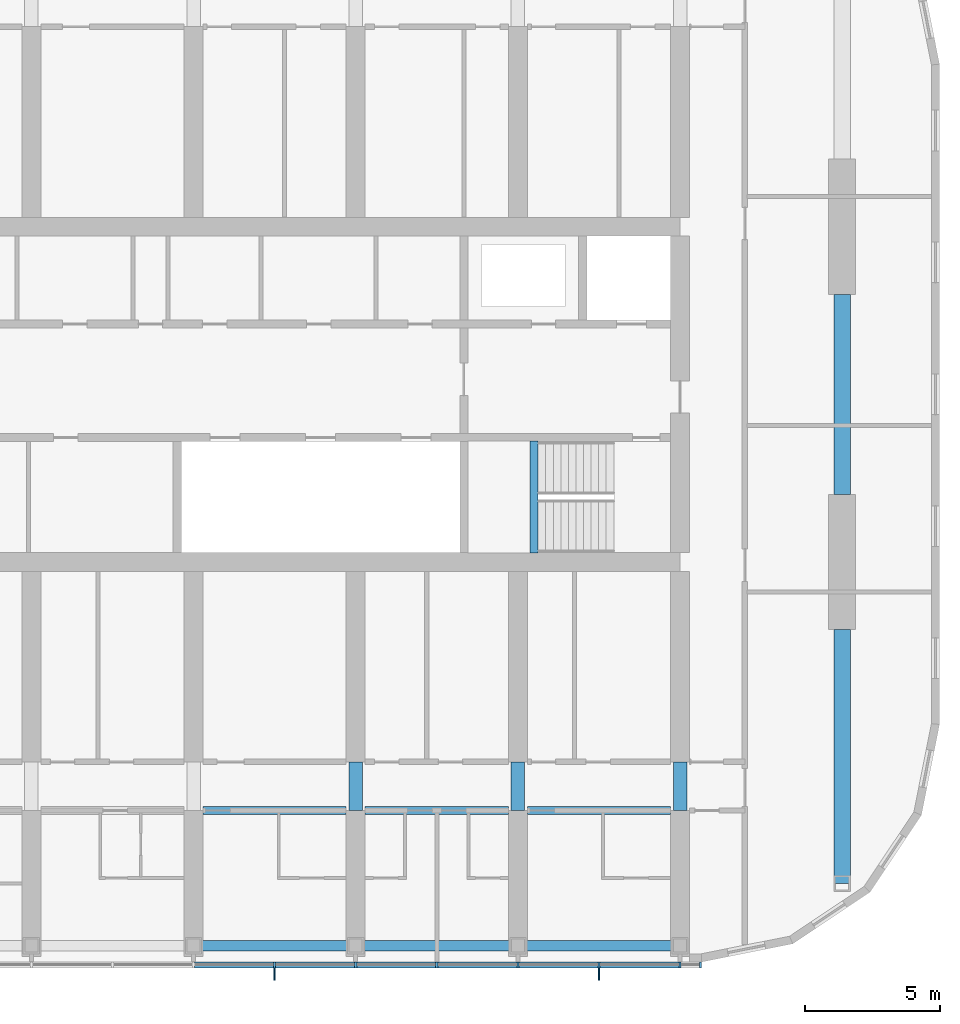
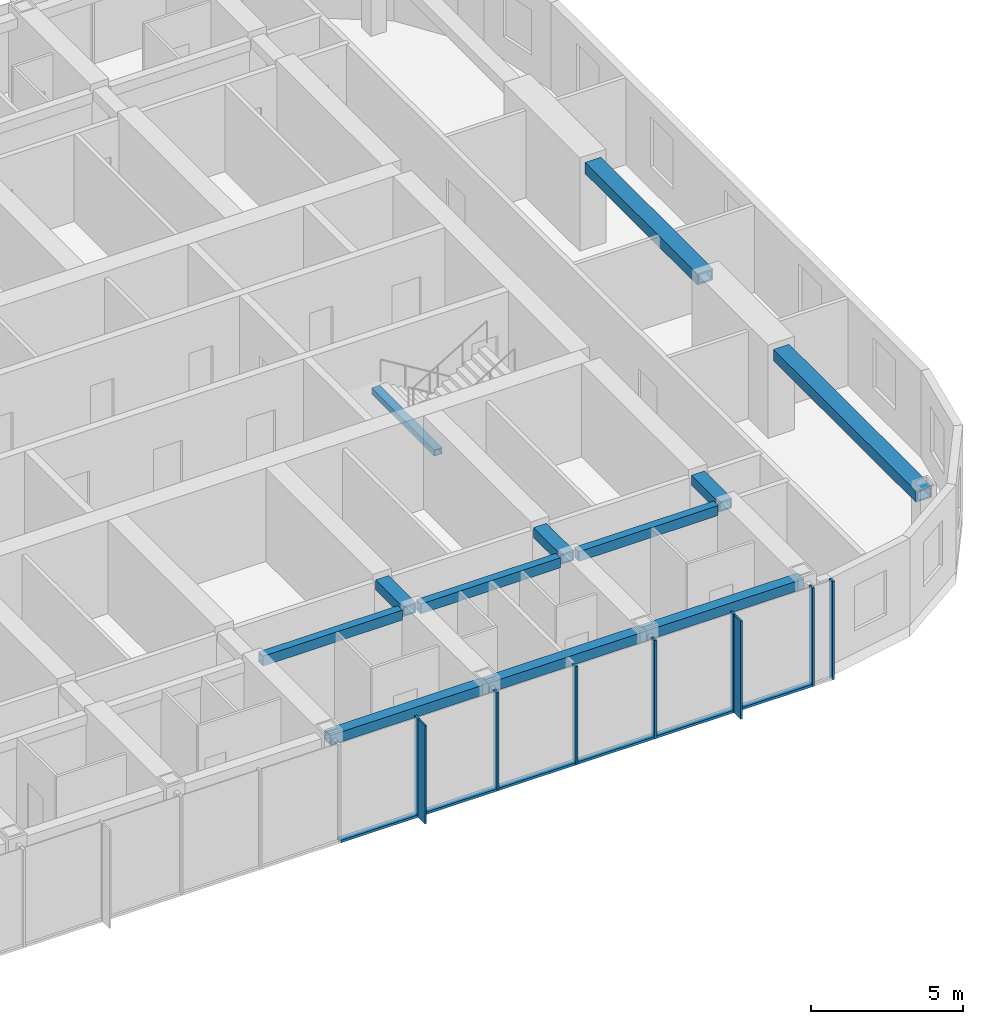
# One storey, part 5 of 28: 15 members, 12 beams, 1 element without a shape of its own.
"""IFC4 building model written with IfcOpenShell, lengths in metres."""

from ifc_helpers import new_model, si_unit, direction, frame, origin, origin_2d, place, context, subcontext, project, spatial, rectangle, hollow_rectangle, extrude, material, material_profile, profile_set, type_object, element, aggregate, save


model = new_model("IFC4")

# Units and contexts
model_context = context("Model", 3, precision=1e-05, world=origin(), true_north=direction((0.0, 1.0)))
body_context = subcontext(model_context, "Body", "Model", "MODEL_VIEW")
ifc_project = project(units=[si_unit("LENGTHUNIT", "METRE"), si_unit("AREAUNIT", "SQUARE_METRE"), si_unit("VOLUMEUNIT", "CUBIC_METRE"), si_unit("PLANEANGLEUNIT", "RADIAN"), si_unit("MASSUNIT", "GRAM", prefix="KILO")], contexts=[model_context])

# Site, building, storey
site_placement = place(None, origin())
site = spatial("IfcSite", under=ifc_project, at=site_placement, CompositionType="ELEMENT")
building_placement = place(site_placement, origin())
building = spatial("IfcBuilding", under=site, at=building_placement, Name="Orbita Commons", CompositionType="ELEMENT")
storey_placement = place(building_placement, frame((0.0, 0.0, 216.550048828125)))
storey = spatial("IfcBuildingStorey", under=building, at=storey_placement, Name="L53", CompositionType="ELEMENT", Elevation=216.550048828125)

# Curtain wall, members
ifc_material_1 = material(Name="Anodised aluminium frame, pale silver", Category="aluminium")
curtain_wall_type = type_object("IfcCurtainWallType", Name="Unitised curtain wall CW-U, full-height vision", PredefinedType="NOTDEFINED", material=ifc_material_1)
curtain_wall_placement = place(storey_placement, origin())
curtain_wall = element("IfcCurtainWall", 1, at=curtain_wall_placement, inside=storey, type_object=curtain_wall_type, Name="Curtain wall south L53", PredefinedType="NOTDEFINED")
ifc_material_2 = material(Name="Anodised aluminium, pale silver", Category="aluminium")
ifc_material_profile_1 = material_profile(ifc_material_2, rectangle(XDim=0.080078125, YDim=0.219970703125, at=origin_2d()), Name="AL 80x220")
ifc_profile_set_1 = profile_set([ifc_material_profile_1], Name="Anodised aluminium, pale silver")
member_type_1 = type_object("IfcMemberType", Name="Curtain wall mullion 80x220", PredefinedType="MULLION", material=ifc_profile_set_1)
member_1_placement = place(storey_placement, frame((51.0, 10.889892578125, -0.449951171875), z_axis=(0.0, 0.0, 1.0), x_axis=(1.0, 0.0, 0.0)))
member_1 = element("IfcMember", 2, at=member_1_placement, type_object=member_type_1, Name="Mullion 13 CW-L53-S", PredefinedType="MULLION", context=body_context, shape_type="SweptSolid", body=[
    extrude(rectangle(XDim=0.080078125, YDim=0.219970703125, at=origin_2d()), origin(), (0.0, 0.0, 1.0), 3.949951171875),
])
member_2_placement = place(storey_placement, frame((54.0, 10.889892578125, -0.449951171875), z_axis=(0.0, 0.0, 1.0), x_axis=(1.0, 0.0, 0.0)))
member_2 = element("IfcMember", 3, at=member_2_placement, type_object=member_type_1, Name="Mullion 14 CW-L53-S", PredefinedType="MULLION", context=body_context, shape_type="SweptSolid", body=[
    extrude(rectangle(XDim=0.080078125, YDim=0.219970703125, at=origin_2d()), origin(), (0.0, 0.0, 1.0), 3.949951171875),
])
member_3_placement = place(storey_placement, frame((57.0, 10.889892578125, -0.449951171875), z_axis=(0.0, 0.0, 1.0), x_axis=(1.0, 0.0, 0.0)))
member_3 = element("IfcMember", 4, at=member_3_placement, type_object=member_type_1, Name="Mullion 15 CW-L53-S", PredefinedType="MULLION", context=body_context, shape_type="SweptSolid", body=[
    extrude(rectangle(XDim=0.080078125, YDim=0.219970703125, at=origin_2d()), origin(), (0.0, 0.0, 1.0), 3.949951171875),
])
member_4_placement = place(storey_placement, frame((60.0, 10.889892578125, -0.449951171875), z_axis=(0.0, 0.0, 1.0), x_axis=(1.0, 0.0, 0.0)))
member_4 = element("IfcMember", 5, at=member_4_placement, type_object=member_type_1, Name="Mullion 16 CW-L53-S", PredefinedType="MULLION", context=body_context, shape_type="SweptSolid", body=[
    extrude(rectangle(XDim=0.080078125, YDim=0.219970703125, at=origin_2d()), origin(), (0.0, 0.0, 1.0), 3.949951171875),
])
member_5_placement = place(storey_placement, frame((63.0, 10.889892578125, -0.449951171875), z_axis=(0.0, 0.0, 1.0), x_axis=(1.0, 0.0, 0.0)))
member_5 = element("IfcMember", 6, at=member_5_placement, type_object=member_type_1, Name="Mullion 17 CW-L53-S", PredefinedType="MULLION", context=body_context, shape_type="SweptSolid", body=[
    extrude(rectangle(XDim=0.080078125, YDim=0.219970703125, at=origin_2d()), origin(), (0.0, 0.0, 1.0), 3.949951171875),
])
member_6_placement = place(storey_placement, frame((66.0, 10.889892578125, -0.449951171875), z_axis=(0.0, 0.0, 1.0), x_axis=(1.0, 0.0, 0.0)))
member_6 = element("IfcMember", 7, at=member_6_placement, type_object=member_type_1, Name="Mullion 18 CW-L53-S", PredefinedType="MULLION", context=body_context, shape_type="SweptSolid", body=[
    extrude(rectangle(XDim=0.080078125, YDim=0.219970703125, at=origin_2d()), origin(), (0.0, 0.0, 1.0), 3.949951171875),
])
member_7_placement = place(storey_placement, frame((66.760009765625, 10.889892578125, -0.449951171875), z_axis=(0.0, 0.0, 1.0), x_axis=(1.0, 0.0, 0.0)))
member_7 = element("IfcMember", 8, at=member_7_placement, type_object=member_type_1, Name="Mullion 19 CW-L53-S", PredefinedType="MULLION", context=body_context, shape_type="SweptSolid", body=[
    extrude(rectangle(XDim=0.080078125, YDim=0.219970703125, at=origin_2d()), origin(), (0.0, 0.0, 1.0), 3.949951171875),
])
ifc_material_3 = material(Name="Anodised aluminium, pale silver", Category="aluminium")
ifc_material_profile_2 = material_profile(ifc_material_3, rectangle(XDim=0.219970703125, YDim=0.10009765625, at=origin_2d()), Name="AL 220x100")
ifc_profile_set_2 = profile_set([ifc_material_profile_2], Name="Anodised aluminium, pale silver")
member_type_2 = type_object("IfcMemberType", Name="Curtain wall stack transom 220x100", PredefinedType="USERDEFINED", material=ifc_profile_set_2)
member_8_placement = place(storey_placement, frame((48.0400390625, 10.889892578125, -0.400146484375), z_axis=(1.0, 0.0, 0.0), x_axis=(0.0, 1.0, 0.0)))
member_8 = element("IfcMember", 9, at=member_8_placement, type_object=member_type_2, Name="Transom 12.1 CW-L53-S", ObjectType="TRANSOM", PredefinedType="USERDEFINED", context=body_context, shape_type="SweptSolid", body=[
    extrude(rectangle(XDim=0.219970703125, YDim=0.10009765625, at=origin_2d()), origin(), (0.0, 0.0, 1.0), 2.919921875),
])
member_9_placement = place(storey_placement, frame((51.0400390625, 10.889892578125, -0.400146484375), z_axis=(1.0, 0.0, 0.0), x_axis=(0.0, 1.0, 0.0)))
member_9 = element("IfcMember", 10, at=member_9_placement, type_object=member_type_2, Name="Transom 13.1 CW-L53-S", ObjectType="TRANSOM", PredefinedType="USERDEFINED", context=body_context, shape_type="SweptSolid", body=[
    extrude(rectangle(XDim=0.219970703125, YDim=0.10009765625, at=origin_2d()), origin(), (0.0, 0.0, 1.0), 2.919921875),
])
member_10_placement = place(storey_placement, frame((54.0400390625, 10.889892578125, -0.400146484375), z_axis=(1.0, 0.0, 0.0), x_axis=(0.0, 1.0, 0.0)))
member_10 = element("IfcMember", 11, at=member_10_placement, type_object=member_type_2, Name="Transom 14.1 CW-L53-S", ObjectType="TRANSOM", PredefinedType="USERDEFINED", context=body_context, shape_type="SweptSolid", body=[
    extrude(rectangle(XDim=0.219970703125, YDim=0.10009765625, at=origin_2d()), origin(), (0.0, 0.0, 1.0), 2.919921875),
])
member_11_placement = place(storey_placement, frame((57.0400390625, 10.889892578125, -0.400146484375), z_axis=(1.0, 0.0, 0.0), x_axis=(0.0, 1.0, 0.0)))
member_11 = element("IfcMember", 12, at=member_11_placement, type_object=member_type_2, Name="Transom 15.1 CW-L53-S", ObjectType="TRANSOM", PredefinedType="USERDEFINED", context=body_context, shape_type="SweptSolid", body=[
    extrude(rectangle(XDim=0.219970703125, YDim=0.10009765625, at=origin_2d()), origin(), (0.0, 0.0, 1.0), 2.919921875),
])
member_12_placement = place(storey_placement, frame((60.0400390625, 10.889892578125, -0.400146484375), z_axis=(1.0, 0.0, 0.0), x_axis=(0.0, 1.0, 0.0)))
member_12 = element("IfcMember", 13, at=member_12_placement, type_object=member_type_2, Name="Transom 16.1 CW-L53-S", ObjectType="TRANSOM", PredefinedType="USERDEFINED", context=body_context, shape_type="SweptSolid", body=[
    extrude(rectangle(XDim=0.219970703125, YDim=0.10009765625, at=origin_2d()), origin(), (0.0, 0.0, 1.0), 2.919921875),
])
member_13_placement = place(storey_placement, frame((63.0400390625, 10.889892578125, -0.400146484375), z_axis=(1.0, 0.0, 0.0), x_axis=(0.0, 1.0, 0.0)))
member_13 = element("IfcMember", 14, at=member_13_placement, type_object=member_type_2, Name="Transom 17.1 CW-L53-S", ObjectType="TRANSOM", PredefinedType="USERDEFINED", context=body_context, shape_type="SweptSolid", body=[
    extrude(rectangle(XDim=0.219970703125, YDim=0.10009765625, at=origin_2d()), origin(), (0.0, 0.0, 1.0), 2.919921875),
])

# Beams
ifc_material_4 = material(Name="Steel ASTM A572 Gr 50 welded plate", Category="steel")
ifc_material_profile_3 = material_profile(ifc_material_4, hollow_rectangle(XDim=0.300048828125, YDim=0.25, WallThickness=0.02490234375, at=origin_2d()), Name="BOX 250x300x25")
ifc_profile_set_3 = profile_set([ifc_material_profile_3], Name="Steel ASTM A572 Gr 50 welded plate")
beam_type_1 = type_object("IfcBeamType", Name="Stair landing beam steel BOX 250x300x25", PredefinedType="BEAM", material=ifc_profile_set_3)
beam_1_placement = place(storey_placement, frame((60.60009765625, 26.135009765625, 1.550048828125), z_axis=(0.0, 1.0, 0.0), x_axis=(-1.0, 0.0, 0.0)))
element("IfcBeam", 15, at=beam_1_placement, inside=storey, type_object=beam_type_1, Name="Stair S2 landing beam L53 1", PredefinedType="BEAM", context=body_context, shape_type="SweptSolid", body=[
    extrude(hollow_rectangle(XDim=0.300048828125, YDim=0.25, WallThickness=0.02490234375, at=origin_2d()), origin(), (0.0, 0.0, 1.0), 4.1298828125),
])
ifc_material_5 = material(Name="Steel ASTM A572 Gr 50 welded plate", Category="steel")
ifc_material_profile_4 = material_profile(ifc_material_5, hollow_rectangle(XDim=0.300048828125, YDim=0.39990234375, WallThickness=0.0400390625, at=origin_2d()), Name="BOX 400x300x40")
ifc_profile_set_4 = profile_set([ifc_material_profile_4], Name="Steel ASTM A572 Gr 50 welded plate")
beam_type_2 = type_object("IfcBeamType", Name="Steel corridor link BOX 400x300x40", PredefinedType="BEAM", material=ifc_profile_set_4)
for number, where, z_axis, x_axis, name in (
    (16, (48.35009765625, 16.60009765625, 3.300048828125), (1.0, 0.0, 0.0), (0.0, 1.0, 0.0), "Corridor beam SA 9-10 L53"),
    (17, (54.35009765625, 16.60009765625, 3.300048828125), (1.0, 0.0, 0.0), (0.0, 1.0, 0.0), "Corridor beam SA 10-11 L53"),
    (18, (60.35009765625, 16.60009765625, 3.300048828125), (1.0, 0.0, 0.0), (0.0, 1.0, 0.0), "Corridor beam SA 11-12 L53"),
):
    element("IfcBeam", number, at=place(storey_placement, frame(where, z_axis=z_axis, x_axis=x_axis)), inside=storey, type_object=beam_type_2, Name=name, PredefinedType="BEAM", context=body_context, shape_type="SweptSolid", body=[
        extrude(hollow_rectangle(XDim=0.300048828125, YDim=0.39990234375, WallThickness=0.0400390625, at=origin_2d()), origin(), (0.0, 0.0, 1.0), 5.2998046875),
    ])
ifc_material_6 = material(Name="Steel ASTM A572 Gr 50 welded plate", Category="steel")
ifc_material_profile_5 = material_profile(ifc_material_6, hollow_rectangle(XDim=0.5, YDim=0.39990234375, WallThickness=0.050048828125, at=origin_2d()), Name="BOX 400x500x50")
ifc_profile_set_5 = profile_set([ifc_material_profile_5], Name="Steel ASTM A572 Gr 50 welded plate")
beam_type_3 = type_object("IfcBeamType", Name="Steel coupling link BOX 400x500x50", PredefinedType="LINTEL", material=ifc_profile_set_5)
for number, where, z_axis, x_axis, name in (
    (19, (54.0, 16.60009765625, 3.300048828125), (0.0, 1.0, 0.0), (-1.0, 0.0, 0.0), "Coupling beam 10 south L53"),
    (20, (60.0, 16.60009765625, 3.300048828125), (0.0, 1.0, 0.0), (-1.0, 0.0, 0.0), "Coupling beam 11 south L53"),
    (21, (66.0, 16.60009765625, 3.300048828125), (0.0, 1.0, 0.0), (-1.0, 0.0, 0.0), "Coupling beam 12 south L53"),
):
    element("IfcBeam", number, at=place(storey_placement, frame(where, z_axis=z_axis, x_axis=x_axis)), inside=storey, type_object=beam_type_3, Name=name, PredefinedType="LINTEL", context=body_context, shape_type="SweptSolid", body=[
        extrude(hollow_rectangle(XDim=0.5, YDim=0.39990234375, WallThickness=0.050048828125, at=origin_2d()), origin(), (0.0, 0.0, 1.0), 1.7998046875),
    ])
ifc_material_7 = material(Name="Steel ASTM A572 Gr 50 welded plate", Category="steel")
ifc_material_profile_6 = material_profile(ifc_material_7, hollow_rectangle(XDim=0.60009765625, YDim=0.449951171875, WallThickness=0.06005859375, at=origin_2d()), Name="BOX 450x600x60")
ifc_profile_set_6 = profile_set([ifc_material_profile_6], Name="Steel ASTM A572 Gr 50 welded plate")
beam_type_4 = type_object("IfcBeamType", Name="Steel end frame link BOX 450x600x60", PredefinedType="BEAM", material=ifc_profile_set_6)
beam_2_placement = place(storey_placement, frame((72.0, 13.89990234375, 3.27490234375), z_axis=(0.0, 1.0, 0.0), x_axis=(-1.0, 0.0, 0.0)))
element("IfcBeam", 22, at=beam_2_placement, inside=storey, type_object=beam_type_4, Name="End frame beam 13 B-C L53", PredefinedType="BEAM", context=body_context, shape_type="SweptSolid", body=[
    extrude(hollow_rectangle(XDim=0.60009765625, YDim=0.449951171875, WallThickness=0.06005859375, at=origin_2d()), origin(), (0.0, 0.0, 1.0), 9.400146484375),
])
beam_3_placement = place(storey_placement, frame((72.0, 28.300048828125, 3.27490234375), z_axis=(0.0, 1.0, 0.0), x_axis=(-1.0, 0.0, 0.0)))
element("IfcBeam", 23, at=beam_3_placement, inside=storey, type_object=beam_type_4, Name="End frame beam 13 C-D L53", PredefinedType="BEAM", context=body_context, shape_type="SweptSolid", body=[
    extrude(hollow_rectangle(XDim=0.60009765625, YDim=0.449951171875, WallThickness=0.06005859375, at=origin_2d()), origin(), (0.0, 0.0, 1.0), 7.39990234375),
])
ifc_material_8 = material(Name="Steel ASTM A572 Gr 50 welded plate", Category="steel")
ifc_material_profile_7 = material_profile(ifc_material_8, hollow_rectangle(XDim=0.39990234375, YDim=0.39990234375, WallThickness=0.0400390625, at=origin_2d()), Name="BOX 400x400x40")
ifc_profile_set_7 = profile_set([ifc_material_profile_7], Name="Steel ASTM A572 Gr 50 welded plate")
beam_type_5 = type_object("IfcBeamType", Name="Steel spandrel BOX 400x400x40", PredefinedType="SPANDREL", material=ifc_profile_set_7)
for number, where, z_axis, x_axis, name in (
    (24, (48.0, 11.60009765625, 3.300048828125), (1.0, 0.0, 0.0), (0.0, 1.0, 0.0), "Spandrel beam B 9-10 L53"),
    (25, (54.0, 11.60009765625, 3.300048828125), (1.0, 0.0, 0.0), (0.0, 1.0, 0.0), "Spandrel beam B 10-11 L53"),
    (26, (60.0, 11.60009765625, 3.300048828125), (1.0, 0.0, 0.0), (0.0, 1.0, 0.0), "Spandrel beam B 11-12 L53"),
):
    element("IfcBeam", number, at=place(storey_placement, frame(where, z_axis=z_axis, x_axis=x_axis)), inside=storey, type_object=beam_type_5, Name=name, PredefinedType="SPANDREL", context=body_context, shape_type="SweptSolid", body=[
        extrude(hollow_rectangle(XDim=0.39990234375, YDim=0.39990234375, WallThickness=0.0400390625, at=origin_2d()), origin(), (0.0, 0.0, 1.0), 6.0),
    ])

# Member
ifc_material_9 = material(Name="Anodised aluminium, pale silver", Category="aluminium")
ifc_material_profile_8 = material_profile(ifc_material_9, rectangle(XDim=0.06005859375, YDim=0.449951171875, at=origin_2d()), Name="FIN 60x450")
ifc_profile_set_8 = profile_set([ifc_material_profile_8], Name="Anodised aluminium, pale silver")
member_type_3 = type_object("IfcMemberType", Name="Vertical fin 60x450 pale aluminium", PredefinedType="USERDEFINED", material=ifc_profile_set_8)
member_14_placement = place(storey_placement, frame((51.0, 10.554931640625, -0.449951171875), z_axis=(0.0, 0.0, 1.0), x_axis=(1.0, 0.0, 0.0)))
member_14 = element("IfcMember", 27, at=member_14_placement, type_object=member_type_3, Name="Fin 13 CW-L53-S", ObjectType="FIN", PredefinedType="USERDEFINED", context=body_context, shape_type="SweptSolid", body=[
    extrude(rectangle(XDim=0.06005859375, YDim=0.449951171875, at=origin_2d()), origin(), (0.0, 0.0, 1.0), 3.949951171875),
])

member_15_placement = place(storey_placement, frame((63.0, 10.554931640625, -0.449951171875), z_axis=(0.0, 0.0, 1.0), x_axis=(1.0, 0.0, 0.0)))
member_15 = element("IfcMember", 28, at=member_15_placement, type_object=member_type_3, Name="Fin 17 CW-L53-S", ObjectType="FIN", PredefinedType="USERDEFINED", context=body_context, shape_type="SweptSolid", body=[
    extrude(rectangle(XDim=0.06005859375, YDim=0.449951171875, at=origin_2d()), origin(), (0.0, 0.0, 1.0), 3.949951171875),
])

aggregate(curtain_wall, [member_1, member_14, member_2, member_3, member_4, member_5, member_15, member_6, member_7, member_8, member_9, member_10, member_11, member_12, member_13])

save(model, "model.ifc")
